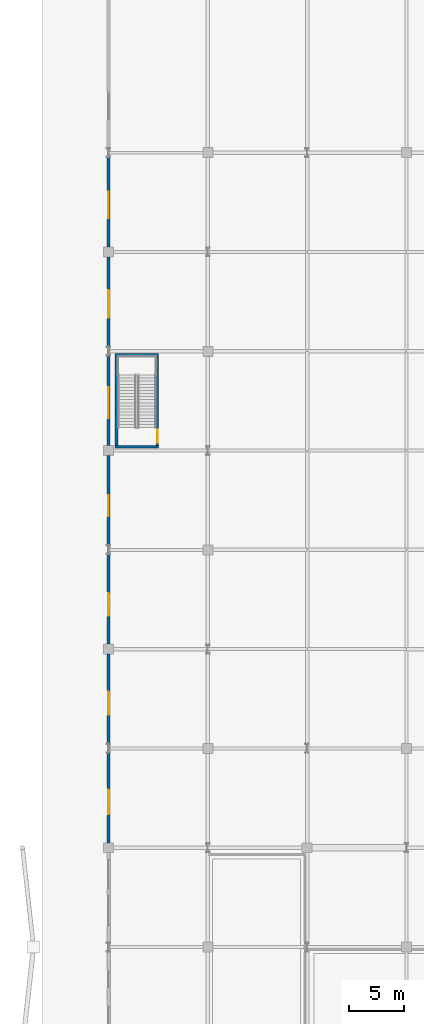
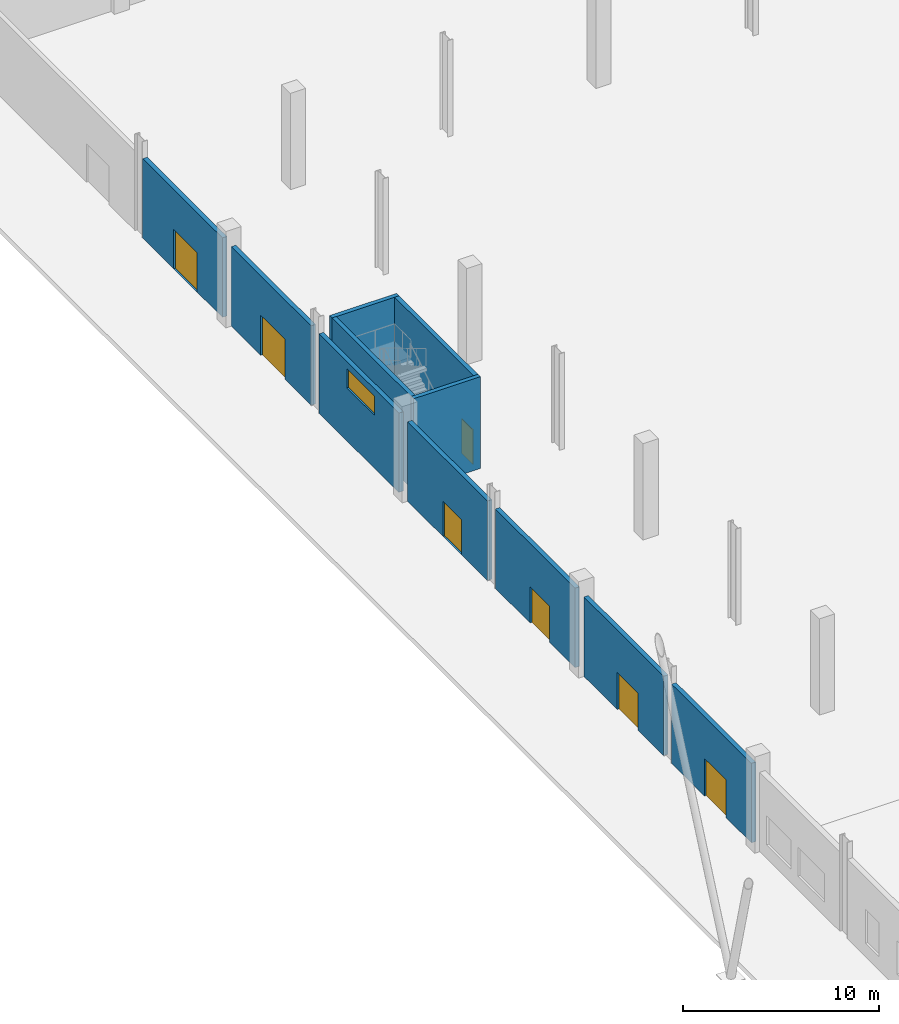
# One storey, part 32 of 58: 11 walls, 7 doors, 1 window, 8 openings.
"""IFC4 building model written with IfcOpenShell, lengths in metres."""

from ifc_helpers import new_model, si_unit, direction, frame, frame_2d, origin, place, context, subcontext, project, spatial, rectangle, extrude, material, layer, layer_set, type_object, element, fill, save


model = new_model("IFC4")

# Units and contexts
model_context = context("Model", 3, precision=1e-05, world=origin(), true_north=direction((0.0, 1.0)))
body_context = subcontext(model_context, "Body", "Model", "MODEL_VIEW")
ifc_project = project(units=[si_unit("LENGTHUNIT", "METRE"), si_unit("AREAUNIT", "SQUARE_METRE"), si_unit("VOLUMEUNIT", "CUBIC_METRE"), si_unit("PLANEANGLEUNIT", "RADIAN"), si_unit("MASSUNIT", "GRAM", prefix="KILO")], contexts=[model_context])

# Site, building, storey
site_placement = place(None, origin())
site = spatial("IfcSite", under=ifc_project, at=site_placement, CompositionType="ELEMENT")
building_placement = place(site_placement, origin())
building = spatial("IfcBuilding", under=site, at=building_placement, Name="Barlavento Convention Centre", CompositionType="ELEMENT")
storey_placement = place(building_placement, origin())
storey = spatial("IfcBuildingStorey", under=building, at=storey_placement, Name="L00", CompositionType="ELEMENT", Elevation=0.0)

# Wall, opening, door
ifc_material_1 = material(Name="Acoustic masonry and PVDF aluminium rainscreen", Category="masonry")
ifc_layer_1 = layer(ifc_material_1, 0.264892578125)
ifc_layer_set_1 = layer_set([ifc_layer_1], Name="ARC-WL-EXT-265")
wall_type_1 = type_object("IfcWallType", Name="ARC-WL-EXT-265", PredefinedType="SOLIDWALL", material=ifc_layer_set_1)
wall_1_placement = place(storey_placement, frame((0.0, 54.445068359375, 0.0), z_axis=(0.0, 0.0, 1.0), x_axis=(0.0, 1.0, 0.0)))
wall_1 = element("IfcWall", 1, at=wall_1_placement, inside=storey, type_object=wall_type_1, Name="L00 exterior wall EW03", PredefinedType="SOLIDWALL", context=body_context, shape_type="SweptSolid", body=[
    extrude(rectangle(XDim=8.15283203125, YDim=0.264892578125, at=frame_2d((4.076416015625, 0.0))), origin(), (0.0, 0.0, 1.0), 4.949951171875),
])
opening_1_placement = place(wall_1_placement, frame((2.60498046875, 0.0, 0.0)))
opening_1 = element("IfcOpeningElement", 2, at=opening_1_placement, cuts=wall_1, Name="Opening EX-31", PredefinedType="OPENING", context=body_context, shape_type="SweptSolid", body=[
    extrude(rectangle(XDim=2.199951171875, YDim=2.35009765625, at=frame_2d((1.10009765625, 1.175048828125))), frame((0.0, 0.142333984375, 0.0), z_axis=(0.0, -1.0, 0.0), x_axis=(1.0, 0.0, 0.0)), (0.0, 0.0, 1.0), 0.284912109375),
])
ifc_material_2 = material(Name="Anodized aluminium and tempered glass", Category="aluminium")
door_type_1 = type_object("IfcDoorType", Name="ARC-DR-EXIT-2200X2350", OperationType="DOUBLE_DOOR_SINGLE_SWING", PredefinedType="DOOR", material=ifc_material_2)
door_1_placement = place(opening_1_placement, origin())
door_1 = element("IfcDoor", 3, at=door_1_placement, inside=storey, type_object=door_type_1, Name="DR-EXT-L00-0031 Exhibition pedestrian exit door EX-31", OperationType="DOUBLE_DOOR_SINGLE_SWING", OverallHeight=2.35009765625, OverallWidth=2.199951171875, PredefinedType="DOOR", context=body_context, shape_type="SweptSolid", body=[
    extrude(rectangle(XDim=2.199951171875, YDim=2.35009765625, at=frame_2d((1.10009765625, 1.175048828125))), frame((0.0, 0.02490234375, 0.0), z_axis=(0.0, -1.0, 0.0), x_axis=(1.0, 0.0, 0.0)), (0.0, 0.0, 1.0), 0.050048828125),
])
fill(opening_1, door_1)

wall_2_placement = place(storey_placement, frame((0.0, 63.402099609375, 0.0), z_axis=(0.0, 0.0, 1.0), x_axis=(0.0, 1.0, 0.0)))
wall_2 = element("IfcWall", 4, at=wall_2_placement, inside=storey, type_object=wall_type_1, Name="L00 exterior wall EW03", PredefinedType="SOLIDWALL", context=body_context, shape_type="SweptSolid", body=[
    extrude(rectangle(XDim=8.15283203125, YDim=0.264892578125, at=frame_2d((4.076416015625, 0.0))), origin(), (0.0, 0.0, 1.0), 4.949951171875),
])
opening_2_placement = place(wall_2_placement, frame((2.64794921875, 0.0, 0.0)))
opening_2 = element("IfcOpeningElement", 5, at=opening_2_placement, cuts=wall_2, Name="Opening EX-32", PredefinedType="OPENING", context=body_context, shape_type="SweptSolid", body=[
    extrude(rectangle(XDim=2.10009765625, YDim=2.300048828125, at=frame_2d((1.050048828125, 1.14990234375))), frame((0.0, 0.142333984375, 0.0), z_axis=(0.0, -1.0, 0.0), x_axis=(1.0, 0.0, 0.0)), (0.0, 0.0, 1.0), 0.284912109375),
])
ifc_material_3 = material(Name="Painted galvanized steel", Category="steel")
door_type_2 = type_object("IfcDoorType", Name="ARC-DR-EXIT-2100X2300", OperationType="DOUBLE_DOOR_SINGLE_SWING", PredefinedType="DOOR", material=ifc_material_3)
door_2_placement = place(opening_2_placement, origin())
door_2 = element("IfcDoor", 6, at=door_2_placement, inside=storey, type_object=door_type_2, Name="DR-EXT-L00-0032 Exhibition pedestrian exit door EX-32", OperationType="DOUBLE_DOOR_SINGLE_SWING", OverallHeight=2.300048828125, OverallWidth=2.10009765625, PredefinedType="DOOR", context=body_context, shape_type="SweptSolid", body=[
    extrude(rectangle(XDim=2.10009765625, YDim=2.300048828125, at=frame_2d((1.050048828125, 1.14990234375))), frame((0.0, 0.02490234375, 0.0), z_axis=(0.0, -1.0, 0.0), x_axis=(1.0, 0.0, 0.0)), (0.0, 0.0, 1.0), 0.050048828125),
])
fill(opening_2, door_2)

wall_3_placement = place(storey_placement, frame((0.0, 72.445068359375, 0.0), z_axis=(0.0, 0.0, 1.0), x_axis=(0.0, 1.0, 0.0)))
wall_3 = element("IfcWall", 7, at=wall_3_placement, inside=storey, type_object=wall_type_1, Name="L00 exterior wall EW03", PredefinedType="SOLIDWALL", context=body_context, shape_type="SweptSolid", body=[
    extrude(rectangle(XDim=8.15283203125, YDim=0.264892578125, at=frame_2d((4.076416015625, 0.0))), origin(), (0.0, 0.0, 1.0), 4.949951171875),
])
opening_3_placement = place(wall_3_placement, frame((2.60498046875, 0.0, 0.0)))
opening_3 = element("IfcOpeningElement", 8, at=opening_3_placement, cuts=wall_3, Name="Opening EX-33", PredefinedType="OPENING", context=body_context, shape_type="SweptSolid", body=[
    extrude(rectangle(XDim=2.0, YDim=2.25, at=frame_2d((1.0, 1.125))), frame((0.0, 0.142333984375, 0.0), z_axis=(0.0, -1.0, 0.0), x_axis=(1.0, 0.0, 0.0)), (0.0, 0.0, 1.0), 0.284912109375),
])
door_type_3 = type_object("IfcDoorType", Name="ARC-DR-EXIT-2000X2250", OperationType="DOUBLE_DOOR_SINGLE_SWING", PredefinedType="DOOR", material=ifc_material_3)
door_3_placement = place(opening_3_placement, origin())
door_3 = element("IfcDoor", 9, at=door_3_placement, inside=storey, type_object=door_type_3, Name="DR-EXT-L00-0033 Exhibition pedestrian exit door EX-33", OperationType="DOUBLE_DOOR_SINGLE_SWING", OverallHeight=2.25, OverallWidth=2.0, PredefinedType="DOOR", context=body_context, shape_type="SweptSolid", body=[
    extrude(rectangle(XDim=2.0, YDim=2.25, at=frame_2d((1.0, 1.125))), frame((0.0, 0.02490234375, 0.0), z_axis=(0.0, -1.0, 0.0), x_axis=(1.0, 0.0, 0.0)), (0.0, 0.0, 1.0), 0.050048828125),
])
fill(opening_3, door_3)

wall_4_placement = place(storey_placement, frame((0.0, 81.402099609375, 0.0), z_axis=(0.0, 0.0, 1.0), x_axis=(0.0, 1.0, 0.0)))
wall_4 = element("IfcWall", 10, at=wall_4_placement, inside=storey, type_object=wall_type_1, Name="L00 exterior wall EW03", PredefinedType="SOLIDWALL", context=body_context, shape_type="SweptSolid", body=[
    extrude(rectangle(XDim=8.15283203125, YDim=0.264892578125, at=frame_2d((4.076416015625, 0.0))), origin(), (0.0, 0.0, 1.0), 4.949951171875),
])
opening_4_placement = place(wall_4_placement, frame((2.64794921875, 0.0, 0.0)))
opening_4 = element("IfcOpeningElement", 11, at=opening_4_placement, cuts=wall_4, Name="Opening EX-34", PredefinedType="OPENING", context=body_context, shape_type="SweptSolid", body=[
    extrude(rectangle(XDim=1.89990234375, YDim=2.199951171875, at=frame_2d((0.949951171875, 1.10009765625))), frame((0.0, 0.142333984375, 0.0), z_axis=(0.0, -1.0, 0.0), x_axis=(1.0, 0.0, 0.0)), (0.0, 0.0, 1.0), 0.284912109375),
])
door_type_4 = type_object("IfcDoorType", Name="ARC-DR-EXIT-1900X2200", OperationType="DOUBLE_DOOR_SINGLE_SWING", PredefinedType="DOOR", material=ifc_material_3)
door_4_placement = place(opening_4_placement, origin())
door_4 = element("IfcDoor", 12, at=door_4_placement, inside=storey, type_object=door_type_4, Name="DR-EXT-L00-0034 Exhibition pedestrian exit door EX-34", OperationType="DOUBLE_DOOR_SINGLE_SWING", OverallHeight=2.199951171875, OverallWidth=1.89990234375, PredefinedType="DOOR", context=body_context, shape_type="SweptSolid", body=[
    extrude(rectangle(XDim=1.89990234375, YDim=2.199951171875, at=frame_2d((0.949951171875, 1.10009765625))), frame((0.0, 0.02490234375, 0.0), z_axis=(0.0, -1.0, 0.0), x_axis=(1.0, 0.0, 0.0)), (0.0, 0.0, 1.0), 0.050048828125),
])
fill(opening_4, door_4)

# Wall, opening, window
wall_5_placement = place(storey_placement, frame((0.0, 90.445068359375, 0.0), z_axis=(0.0, 0.0, 1.0), x_axis=(0.0, 1.0, 0.0)))
wall_5 = element("IfcWall", 13, at=wall_5_placement, inside=storey, type_object=wall_type_1, Name="L00 exterior wall EW03", PredefinedType="SOLIDWALL", context=body_context, shape_type="SweptSolid", body=[
    extrude(rectangle(XDim=8.15283203125, YDim=0.264892578125, at=frame_2d((4.076416015625, 0.0))), origin(), (0.0, 0.0, 1.0), 4.949951171875),
])
opening_5_placement = place(wall_5_placement, frame((2.5048828125, 0.0, 3.300048828125)))
opening_5 = element("IfcOpeningElement", 14, at=opening_5_placement, cuts=wall_5, Name="Opening WN16", PredefinedType="OPENING", context=body_context, shape_type="SweptSolid", body=[
    extrude(rectangle(XDim=2.800048828125, YDim=1.199951171875, at=frame_2d((1.39990234375, 0.60009765625))), frame((0.0, 0.142333984375, 0.0), z_axis=(0.0, -1.0, 0.0), x_axis=(1.0, 0.0, 0.0)), (0.0, 0.0, 1.0), 0.284912109375),
])
ifc_material_4 = material(Name="Double-silver Low-E insulated glass", Category="glass")
window_type = type_object("IfcWindowType", Name="ARC-WN-CLER-2800X1200", PartitioningType="DOUBLE_PANEL_VERTICAL", PredefinedType="WINDOW", material=ifc_material_4)
window_placement = place(opening_5_placement, origin())
window = element("IfcWindow", 15, at=window_placement, inside=storey, type_object=window_type, Name="L00 exterior Low-E window WN16", OverallHeight=1.199951171875, OverallWidth=2.800048828125, PartitioningType="SINGLE_PANEL", PredefinedType="WINDOW", context=body_context, shape_type="SweptSolid", body=[
    extrude(rectangle(XDim=2.800048828125, YDim=1.199951171875, at=frame_2d((1.39990234375, 0.60009765625))), frame((0.0, 0.030029296875, 0.0), z_axis=(0.0, -1.0, 0.0), x_axis=(1.0, 0.0, 0.0)), (0.0, 0.0, 1.0), 0.06005859375),
])
fill(opening_5, window)

# Wall, opening, door
wall_6_placement = place(storey_placement, frame((0.0, 99.402099609375, 0.0), z_axis=(0.0, 0.0, 1.0), x_axis=(0.0, 1.0, 0.0)))
wall_6 = element("IfcWall", 16, at=wall_6_placement, inside=storey, type_object=wall_type_1, Name="L00 exterior wall EW03", PredefinedType="SOLIDWALL", context=body_context, shape_type="SweptSolid", body=[
    extrude(rectangle(XDim=8.15283203125, YDim=0.264892578125, at=frame_2d((4.076416015625, 0.0))), origin(), (0.0, 0.0, 1.0), 4.949951171875),
])
opening_6_placement = place(wall_6_placement, frame((2.64794921875, 0.0, 0.0)))
opening_6 = element("IfcOpeningElement", 17, at=opening_6_placement, cuts=wall_6, Name="Opening EX-35", PredefinedType="OPENING", context=body_context, shape_type="SweptSolid", body=[
    extrude(rectangle(XDim=2.5, YDim=2.5, at=frame_2d((1.25, 1.25))), frame((0.0, 0.142333984375, 0.0), z_axis=(0.0, -1.0, 0.0), x_axis=(1.0, 0.0, 0.0)), (0.0, 0.0, 1.0), 0.284912109375),
])
door_type_5 = type_object("IfcDoorType", Name="ARC-DR-EXIT-2500X2500", OperationType="DOUBLE_DOOR_SINGLE_SWING", PredefinedType="DOOR", material=ifc_material_2)
door_5_placement = place(opening_6_placement, origin())
door_5 = element("IfcDoor", 18, at=door_5_placement, inside=storey, type_object=door_type_5, Name="DR-EXT-L00-0035 Exhibition pedestrian exit door EX-35", OperationType="DOUBLE_DOOR_SINGLE_SWING", OverallHeight=2.5, OverallWidth=2.5, PredefinedType="DOOR", context=body_context, shape_type="SweptSolid", body=[
    extrude(rectangle(XDim=2.5, YDim=2.5, at=frame_2d((1.25, 1.25))), frame((0.0, 0.02490234375, 0.0), z_axis=(0.0, -1.0, 0.0), x_axis=(1.0, 0.0, 0.0)), (0.0, 0.0, 1.0), 0.050048828125),
])
fill(opening_6, door_5)

wall_7_placement = place(storey_placement, frame((0.0, 108.445068359375, 0.0), z_axis=(0.0, 0.0, 1.0), x_axis=(0.0, 1.0, 0.0)))
wall_7 = element("IfcWall", 19, at=wall_7_placement, inside=storey, type_object=wall_type_1, Name="L00 exterior wall EW03", PredefinedType="SOLIDWALL", context=body_context, shape_type="SweptSolid", body=[
    extrude(rectangle(XDim=8.15283203125, YDim=0.264892578125, at=frame_2d((4.076416015625, 0.0))), origin(), (0.0, 0.0, 1.0), 4.949951171875),
])
opening_7_placement = place(wall_7_placement, frame((2.60498046875, 0.0, 0.0)))
opening_7 = element("IfcOpeningElement", 20, at=opening_7_placement, cuts=wall_7, Name="Opening EX-36", PredefinedType="OPENING", context=body_context, shape_type="SweptSolid", body=[
    extrude(rectangle(XDim=2.39990234375, YDim=2.449951171875, at=frame_2d((1.199951171875, 1.22509765625))), frame((0.0, 0.142333984375, 0.0), z_axis=(0.0, -1.0, 0.0), x_axis=(1.0, 0.0, 0.0)), (0.0, 0.0, 1.0), 0.284912109375),
])
door_type_6 = type_object("IfcDoorType", Name="ARC-DR-EXIT-2400X2450", OperationType="DOUBLE_DOOR_SINGLE_SWING", PredefinedType="DOOR", material=ifc_material_2)
door_6_placement = place(opening_7_placement, origin())
door_6 = element("IfcDoor", 21, at=door_6_placement, inside=storey, type_object=door_type_6, Name="DR-EXT-L00-0036 Exhibition pedestrian exit door EX-36", OperationType="DOUBLE_DOOR_SINGLE_SWING", OverallHeight=2.449951171875, OverallWidth=2.39990234375, PredefinedType="DOOR", context=body_context, shape_type="SweptSolid", body=[
    extrude(rectangle(XDim=2.39990234375, YDim=2.449951171875, at=frame_2d((1.199951171875, 1.22509765625))), frame((0.0, 0.02490234375, 0.0), z_axis=(0.0, -1.0, 0.0), x_axis=(1.0, 0.0, 0.0)), (0.0, 0.0, 1.0), 0.050048828125),
])
fill(opening_7, door_6)

# Wall
ifc_material_5 = material(Name="Concrete C50/60", Category="concrete")
ifc_layer_2 = layer(ifc_material_5, 0.25)
ifc_layer_set_2 = layer_set([ifc_layer_2], Name="STR-WL-CORE-250")
wall_type_2 = type_object("IfcWallType", Name="STR-WL-CORE-250", PredefinedType="SHEAR", material=ifc_layer_set_2)
wall_8_placement = place(storey_placement, frame((0.72509765625, 90.469970703125, 0.0), z_axis=(0.0, 0.0, 1.0), x_axis=(0.0, 1.0, 0.0)))
element("IfcWall", 22, at=wall_8_placement, inside=storey, type_object=wall_type_2, Name="L00 interior wall CW-02", PredefinedType="SHEAR", context=body_context, shape_type="SweptSolid", body=[
    extrude(rectangle(XDim=8.06005859375, YDim=0.25, at=frame_2d((4.030029296875, 0.0))), origin(), (0.0, 0.0, 1.0), 5.719970703125),
])

# Wall, opening, door
wall_9_placement = place(storey_placement, frame((4.4150390625, 90.469970703125, 0.0), z_axis=(0.0, 0.0, 1.0), x_axis=(0.0, 1.0, 0.0)))
wall_9 = element("IfcWall", 23, at=wall_9_placement, inside=storey, type_object=wall_type_2, Name="L00 interior wall CW-02", PredefinedType="SHEAR", context=body_context, shape_type="SweptSolid", body=[
    extrude(rectangle(XDim=8.06005859375, YDim=0.25, at=frame_2d((4.030029296875, 0.0))), origin(), (0.0, 0.0, 1.0), 5.719970703125),
])
opening_8_placement = place(wall_9_placement, frame((0.25, 0.0, 0.0)))
opening_8 = element("IfcOpeningElement", 24, at=opening_8_placement, cuts=wall_9, Name="Opening FD-03", PredefinedType="OPENING", context=body_context, shape_type="SweptSolid", body=[
    extrude(rectangle(XDim=1.14990234375, YDim=2.14990234375, at=frame_2d((0.574951171875, 1.074951171875))), frame((0.0, 0.135009765625, 0.0), z_axis=(0.0, -1.0, 0.0), x_axis=(1.0, 0.0, 0.0)), (0.0, 0.0, 1.0), 0.27001953125),
])
door_type_7 = type_object("IfcDoorType", Name="ARC-DR-FIRE-1150X2150", OperationType="NOTDEFINED", PredefinedType="DOOR", material=ifc_material_3)
door_7_placement = place(opening_8_placement, origin())
door_7 = element("IfcDoor", 25, at=door_7_placement, inside=storey, type_object=door_type_7, Name="DR-INT-L00-0169 L00 ST11 stair fire door FD-03", OperationType="SINGLE_SWING_LEFT", OverallHeight=2.14990234375, OverallWidth=1.14990234375, PredefinedType="DOOR", context=body_context, shape_type="SweptSolid", body=[
    extrude(rectangle(XDim=1.14990234375, YDim=2.14990234375, at=frame_2d((0.574951171875, 1.074951171875))), frame((0.0, 0.02490234375, 0.0), z_axis=(0.0, -1.0, 0.0), x_axis=(1.0, 0.0, 0.0)), (0.0, 0.0, 1.0), 0.050048828125),
])
fill(opening_8, door_7)

# Walls
for number, where, z_axis, x_axis, name in (
    (26, (0.60009765625, 90.344970703125, 0.0), (0.0, 0.0, 1.0), (1.0, 0.0, 0.0), "L00 interior wall CW-02"),
    (27, (0.60009765625, 98.655029296875, 0.0), (0.0, 0.0, 1.0), (1.0, 0.0, 0.0), "L00 interior wall CW-02"),
):
    element("IfcWall", number, at=place(storey_placement, frame(where, z_axis=z_axis, x_axis=x_axis)), inside=storey, type_object=wall_type_2, Name=name, PredefinedType="SHEAR", context=body_context, shape_type="SweptSolid", body=[
        extrude(rectangle(XDim=3.93994140625, YDim=0.25, at=frame_2d((1.969970703125, 0.0))), origin(), (0.0, 0.0, 1.0), 5.719970703125),
    ])

save(model, "model.ifc")
